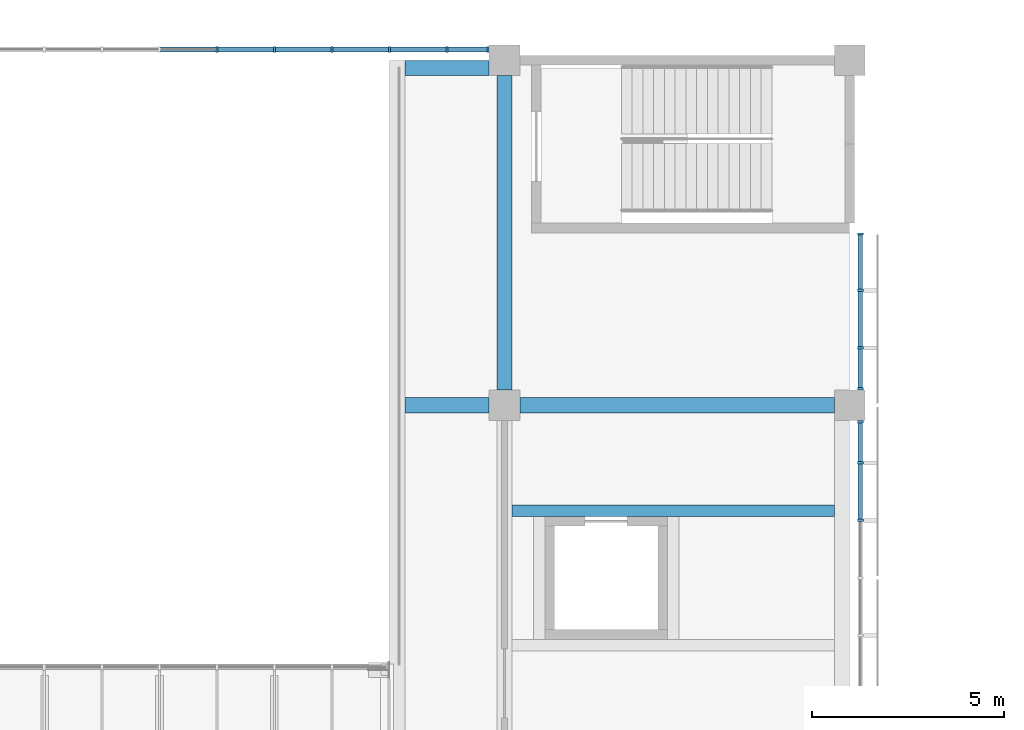
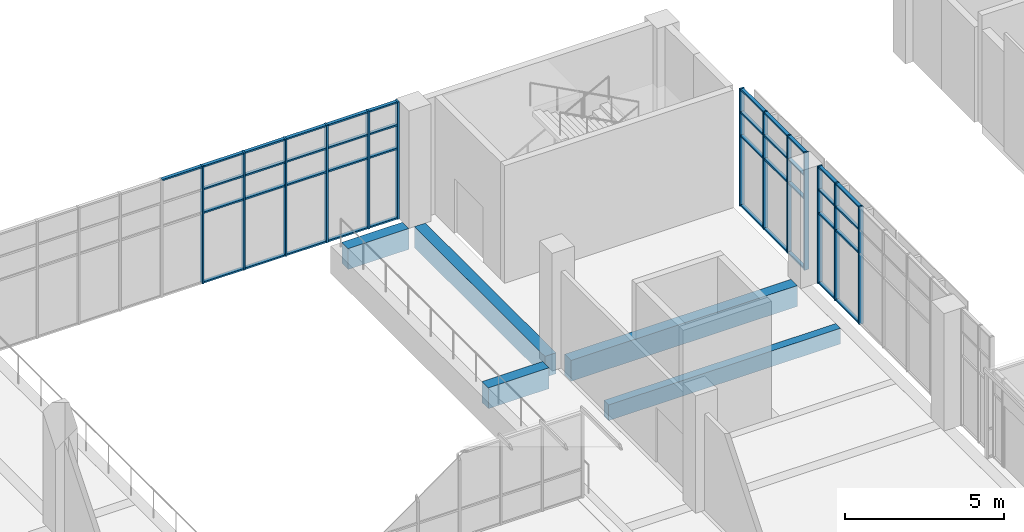
# One storey, part 28 of 88: 54 members, 5 beams, 3 elements without a shape of their own.
"""IFC4 building model written with IfcOpenShell, lengths in metres."""

from ifc_helpers import new_model, si_unit, direction, frame, origin, origin_2d, place, context, subcontext, project, spatial, rectangle, extrude, material, layer, layer_set, material_profile, profile_set, type_object, element, aggregate, save


model = new_model("IFC4")

# Units and contexts
model_context = context("Model", 3, precision=1e-05, world=origin(), true_north=direction((0.0, 1.0)))
body_context = subcontext(model_context, "Body", "Model", "MODEL_VIEW")
ifc_project = project(units=[si_unit("LENGTHUNIT", "METRE"), si_unit("AREAUNIT", "SQUARE_METRE"), si_unit("VOLUMEUNIT", "CUBIC_METRE"), si_unit("PLANEANGLEUNIT", "RADIAN"), si_unit("MASSUNIT", "GRAM", prefix="KILO")], contexts=[model_context])

# Site, building, storey
site_placement = place(None, origin())
site = spatial("IfcSite", under=ifc_project, at=site_placement, CompositionType="ELEMENT")
building_placement = place(site_placement, origin())
building = spatial("IfcBuilding", under=site, at=building_placement, Name="Guidao Yard Department Store", CompositionType="ELEMENT")
storey_placement = place(building_placement, frame((0.0, 0.0, 6.0)))
storey = spatial("IfcBuildingStorey", under=building, at=storey_placement, Name="L01", CompositionType="ELEMENT", Elevation=6.0)

# Beams
ifc_material_1 = material(Name="Concrete C40", Category="concrete")
ifc_material_profile_1 = material_profile(ifc_material_1, rectangle(XDim=0.39990234375, YDim=0.800048828125, at=origin_2d()), Name="Edge beam 400 x 800 C40")
ifc_profile_set_1 = profile_set([ifc_material_profile_1], Name="Concrete C40")
beam_type_1 = type_object("IfcBeamType", Name="Edge beam 400 x 800 C40", PredefinedType="BEAM", material=ifc_profile_set_1)
beam_1_placement = place(storey_placement, frame((99.0, 99.39990234375, -0.39990234375), z_axis=(0.0, 1.0, 0.0), x_axis=(-1.0, 0.0, 0.0)))
element("IfcBeam", 1, at=beam_1_placement, inside=storey, type_object=beam_type_1, Name="Beam EB54", PredefinedType="BEAM", context=body_context, shape_type="SweptSolid", body=[
    extrude(rectangle(XDim=0.39990234375, YDim=0.800048828125, at=origin_2d()), origin(), (0.0, 0.0, 1.0), 8.2001953125),
])
for number, where, z_axis, x_axis, name in (
    (2, (96.39990234375, 99.0, -0.39990234375), (1.0, 0.0, 0.0), (0.0, 1.0, 0.0), "Beam EB59"),
    (3, (96.39990234375, 107.800048828125, -0.39990234375), (1.0, 0.0, 0.0), (0.0, 1.0, 0.0), "Beam EB60"),
):
    element("IfcBeam", number, at=place(storey_placement, frame(where, z_axis=z_axis, x_axis=x_axis)), inside=storey, type_object=beam_type_1, Name=name, PredefinedType="BEAM", context=body_context, shape_type="SweptSolid", body=[
        extrude(rectangle(XDim=0.39990234375, YDim=0.800048828125, at=origin_2d()), origin(), (0.0, 0.0, 1.0), 2.2001953125),
    ])
beam_2_placement = place(storey_placement, frame((99.39990234375, 99.0, -0.39990234375), z_axis=(1.0, 0.0, 0.0), x_axis=(0.0, 1.0, 0.0)))
element("IfcBeam", 4, at=beam_2_placement, inside=storey, type_object=beam_type_1, Name="Beam EB101", PredefinedType="BEAM", context=body_context, shape_type="SweptSolid", body=[
    extrude(rectangle(XDim=0.39990234375, YDim=0.800048828125, at=origin_2d()), origin(), (0.0, 0.0, 1.0), 8.2001953125),
])

# Curtain wall, members
ifc_material_2 = material(Name="Aluminium and glass", Category="aluminium")
ifc_layer = layer(ifc_material_2, 0.159912109375)
ifc_layer_set = layer_set([ifc_layer], Name="Shopfront curtain wall CW1 1500 module")
curtain_wall_type = type_object("IfcCurtainWallType", Name="Shopfront curtain wall CW1 1500 module", PredefinedType="NOTDEFINED", material=ifc_layer_set)
curtain_wall_1_placement = place(storey_placement, origin())
curtain_wall_1 = element("IfcCurtainWall", 5, at=curtain_wall_1_placement, inside=storey, type_object=curtain_wall_type, Name="Arcade shop front", PredefinedType="NOTDEFINED")
ifc_material_3 = material(Name="Aluminium 6063-T5", Category="aluminium")
ifc_material_profile_2 = material_profile(ifc_material_3, rectangle(XDim=0.06005859375, YDim=0.159912109375, at=origin_2d()), Name="Mullion M1 60 x 160 aluminium pressure plate")
ifc_profile_set_2 = profile_set([ifc_material_profile_2], Name="Aluminium 6063-T5")
member_type_1 = type_object("IfcMemberType", Name="Mullion M1 60 x 160 aluminium pressure plate", PredefinedType="MULLION", material=ifc_profile_set_2)
member_1_placement = place(storey_placement, frame((108.280029296875, 96.0, 0.0), z_axis=(0.0, 0.0, 1.0), x_axis=(0.0, -1.0, 0.0)))
member_1 = element("IfcMember", 6, at=member_1_placement, type_object=member_type_1, Name="CW-AS-L01-21 mullion 5", PredefinedType="MULLION", context=body_context, shape_type="SweptSolid", body=[
    extrude(rectangle(XDim=0.06005859375, YDim=0.159912109375, at=origin_2d()), origin(), (0.0, 0.0, 1.0), 4.5),
])
member_2_placement = place(storey_placement, frame((108.280029296875, 97.5, 0.0), z_axis=(0.0, 0.0, 1.0), x_axis=(0.0, -1.0, 0.0)))
member_2 = element("IfcMember", 7, at=member_2_placement, type_object=member_type_1, Name="CW-AS-L01-21 mullion 6", PredefinedType="MULLION", context=body_context, shape_type="SweptSolid", body=[
    extrude(rectangle(XDim=0.06005859375, YDim=0.159912109375, at=origin_2d()), origin(), (0.0, 0.0, 1.0), 4.5),
])
member_3_placement = place(storey_placement, frame((108.280029296875, 98.570068359375, 0.0), z_axis=(0.0, 0.0, 1.0), x_axis=(0.0, -1.0, 0.0)))
member_3 = element("IfcMember", 8, at=member_3_placement, type_object=member_type_1, Name="CW-AS-L01-21 mullion 7", PredefinedType="MULLION", context=body_context, shape_type="SweptSolid", body=[
    extrude(rectangle(XDim=0.06005859375, YDim=0.159912109375, at=origin_2d()), origin(), (0.0, 0.0, 1.0), 4.5),
])

curtain_wall_2_placement = place(storey_placement, origin())
curtain_wall_2 = element("IfcCurtainWall", 9, at=curtain_wall_2_placement, inside=storey, type_object=curtain_wall_type, Name="Arcade shop front", PredefinedType="NOTDEFINED")
member_4_placement = place(storey_placement, frame((108.280029296875, 99.429931640625, 0.0), z_axis=(0.0, 0.0, 1.0), x_axis=(0.0, -1.0, 0.0)))
member_4 = element("IfcMember", 10, at=member_4_placement, type_object=member_type_1, Name="CW-AS-L01-22 mullion 1", PredefinedType="MULLION", context=body_context, shape_type="SweptSolid", body=[
    extrude(rectangle(XDim=0.06005859375, YDim=0.159912109375, at=origin_2d()), origin(), (0.0, 0.0, 1.0), 4.5),
])
member_5_placement = place(storey_placement, frame((108.280029296875, 100.5, 0.0), z_axis=(0.0, 0.0, 1.0), x_axis=(0.0, -1.0, 0.0)))
member_5 = element("IfcMember", 11, at=member_5_placement, type_object=member_type_1, Name="CW-AS-L01-22 mullion 2", PredefinedType="MULLION", context=body_context, shape_type="SweptSolid", body=[
    extrude(rectangle(XDim=0.06005859375, YDim=0.159912109375, at=origin_2d()), origin(), (0.0, 0.0, 1.0), 4.5),
])
member_6_placement = place(storey_placement, frame((108.280029296875, 102.0, 0.0), z_axis=(0.0, 0.0, 1.0), x_axis=(0.0, -1.0, 0.0)))
member_6 = element("IfcMember", 12, at=member_6_placement, type_object=member_type_1, Name="CW-AS-L01-22 mullion 3", PredefinedType="MULLION", context=body_context, shape_type="SweptSolid", body=[
    extrude(rectangle(XDim=0.06005859375, YDim=0.159912109375, at=origin_2d()), origin(), (0.0, 0.0, 1.0), 4.5),
])
member_7_placement = place(storey_placement, frame((108.280029296875, 103.469970703125, 0.0), z_axis=(0.0, 0.0, 1.0), x_axis=(0.0, -1.0, 0.0)))
member_7 = element("IfcMember", 13, at=member_7_placement, type_object=member_type_1, Name="CW-AS-L01-22 mullion 4", PredefinedType="MULLION", context=body_context, shape_type="SweptSolid", body=[
    extrude(rectangle(XDim=0.06005859375, YDim=0.159912109375, at=origin_2d()), origin(), (0.0, 0.0, 1.0), 4.5),
])

curtain_wall_3_placement = place(storey_placement, origin())
curtain_wall_3 = element("IfcCurtainWall", 14, at=curtain_wall_3_placement, inside=storey, type_object=curtain_wall_type, Name="Arcade gable glazing", PredefinedType="NOTDEFINED")
member_8_placement = place(storey_placement, frame((91.5, 108.280029296875, 0.0), z_axis=(0.0, 0.0, 1.0), x_axis=(1.0, 0.0, 0.0)))
member_8 = element("IfcMember", 15, at=member_8_placement, type_object=member_type_1, Name="CW-AG-L01-01 mullion 8", PredefinedType="MULLION", context=body_context, shape_type="SweptSolid", body=[
    extrude(rectangle(XDim=0.06005859375, YDim=0.159912109375, at=origin_2d()), origin(), (0.0, 0.0, 1.0), 4.5),
])
member_9_placement = place(storey_placement, frame((93.0, 108.280029296875, 0.0), z_axis=(0.0, 0.0, 1.0), x_axis=(1.0, 0.0, 0.0)))
member_9 = element("IfcMember", 16, at=member_9_placement, type_object=member_type_1, Name="CW-AG-L01-01 mullion 9", PredefinedType="MULLION", context=body_context, shape_type="SweptSolid", body=[
    extrude(rectangle(XDim=0.06005859375, YDim=0.159912109375, at=origin_2d()), origin(), (0.0, 0.0, 1.0), 4.5),
])
member_10_placement = place(storey_placement, frame((94.5, 108.280029296875, 0.0), z_axis=(0.0, 0.0, 1.0), x_axis=(1.0, 0.0, 0.0)))
member_10 = element("IfcMember", 17, at=member_10_placement, type_object=member_type_1, Name="CW-AG-L01-01 mullion 10", PredefinedType="MULLION", context=body_context, shape_type="SweptSolid", body=[
    extrude(rectangle(XDim=0.06005859375, YDim=0.159912109375, at=origin_2d()), origin(), (0.0, 0.0, 1.0), 4.5),
])
member_11_placement = place(storey_placement, frame((96.0, 108.280029296875, 0.0), z_axis=(0.0, 0.0, 1.0), x_axis=(1.0, 0.0, 0.0)))
member_11 = element("IfcMember", 18, at=member_11_placement, type_object=member_type_1, Name="CW-AG-L01-01 mullion 11", PredefinedType="MULLION", context=body_context, shape_type="SweptSolid", body=[
    extrude(rectangle(XDim=0.06005859375, YDim=0.159912109375, at=origin_2d()), origin(), (0.0, 0.0, 1.0), 4.5),
])
member_12_placement = place(storey_placement, frame((97.5, 108.280029296875, 0.0), z_axis=(0.0, 0.0, 1.0), x_axis=(1.0, 0.0, 0.0)))
member_12 = element("IfcMember", 19, at=member_12_placement, type_object=member_type_1, Name="CW-AG-L01-01 mullion 12", PredefinedType="MULLION", context=body_context, shape_type="SweptSolid", body=[
    extrude(rectangle(XDim=0.06005859375, YDim=0.159912109375, at=origin_2d()), origin(), (0.0, 0.0, 1.0), 4.5),
])
member_13_placement = place(storey_placement, frame((98.570068359375, 108.280029296875, 0.0), z_axis=(0.0, 0.0, 1.0), x_axis=(1.0, 0.0, 0.0)))
member_13 = element("IfcMember", 20, at=member_13_placement, type_object=member_type_1, Name="CW-AG-L01-01 mullion 13", PredefinedType="MULLION", context=body_context, shape_type="SweptSolid", body=[
    extrude(rectangle(XDim=0.06005859375, YDim=0.159912109375, at=origin_2d()), origin(), (0.0, 0.0, 1.0), 4.5),
])

# Beam
ifc_material_4 = material(Name="Concrete C40", Category="concrete")
ifc_material_profile_3 = material_profile(ifc_material_4, rectangle(XDim=0.300048828125, YDim=0.60009765625, at=origin_2d()), Name="Opening beam 300 x 600 C40")
ifc_profile_set_3 = profile_set([ifc_material_profile_3], Name="Concrete C40")
beam_type_2 = type_object("IfcBeamType", Name="Opening beam 300 x 600 C40", PredefinedType="BEAM", material=ifc_profile_set_3)
beam_3_placement = place(storey_placement, frame((99.199951171875, 96.25, -0.300048828125), z_axis=(1.0, 0.0, 0.0), x_axis=(0.0, 1.0, 0.0)))
element("IfcBeam", 21, at=beam_3_placement, inside=storey, type_object=beam_type_2, Name="Beam OB26", PredefinedType="BEAM", context=body_context, shape_type="SweptSolid", body=[
    extrude(rectangle(XDim=0.300048828125, YDim=0.60009765625, at=origin_2d()), origin(), (0.0, 0.0, 1.0), 8.400146484375),
])

# Member
ifc_material_5 = material(Name="Aluminium 6063-T5", Category="aluminium")
ifc_material_profile_4 = material_profile(ifc_material_5, rectangle(XDim=0.1201171875, YDim=0.06005859375, at=origin_2d()), Name="Transom T1 60 x 120 aluminium pressure plate")
ifc_profile_set_4 = profile_set([ifc_material_profile_4], Name="Aluminium 6063-T5")
member_type_2 = type_object("IfcMemberType", Name="Transom T1 60 x 120 aluminium pressure plate", PredefinedType="USERDEFINED", material=ifc_profile_set_4)
member_14_placement = place(storey_placement, frame((108.280029296875, 97.469970703125, 0.030029296875), z_axis=(0.0, -1.0, 0.0), x_axis=(1.0, 0.0, 0.0)))
member_14 = element("IfcMember", 22, at=member_14_placement, type_object=member_type_2, Name="CW-AS-L01-21 transom 5.1", ObjectType="TRANSOM", PredefinedType="USERDEFINED", context=body_context, shape_type="SweptSolid", body=[
    extrude(rectangle(XDim=0.1201171875, YDim=0.06005859375, at=origin_2d()), origin(), (0.0, 0.0, 1.0), 1.43994140625),
])

member_15_placement = place(storey_placement, frame((108.280029296875, 97.469970703125, 2.699951171875), z_axis=(0.0, -1.0, 0.0), x_axis=(1.0, 0.0, 0.0)))
member_15 = element("IfcMember", 23, at=member_15_placement, type_object=member_type_2, Name="CW-AS-L01-21 transom 5.2", ObjectType="TRANSOM", PredefinedType="USERDEFINED", context=body_context, shape_type="SweptSolid", body=[
    extrude(rectangle(XDim=0.1201171875, YDim=0.06005859375, at=origin_2d()), origin(), (0.0, 0.0, 1.0), 1.43994140625),
])

member_16_placement = place(storey_placement, frame((108.280029296875, 97.469970703125, 3.60009765625), z_axis=(0.0, -1.0, 0.0), x_axis=(1.0, 0.0, 0.0)))
member_16 = element("IfcMember", 24, at=member_16_placement, type_object=member_type_2, Name="CW-AS-L01-21 transom 5.3", ObjectType="TRANSOM", PredefinedType="USERDEFINED", context=body_context, shape_type="SweptSolid", body=[
    extrude(rectangle(XDim=0.1201171875, YDim=0.06005859375, at=origin_2d()), origin(), (0.0, 0.0, 1.0), 1.43994140625),
])

member_17_placement = place(storey_placement, frame((108.280029296875, 97.469970703125, 4.469970703125), z_axis=(0.0, -1.0, 0.0), x_axis=(1.0, 0.0, 0.0)))
member_17 = element("IfcMember", 25, at=member_17_placement, type_object=member_type_2, Name="CW-AS-L01-21 transom 5.4", ObjectType="TRANSOM", PredefinedType="USERDEFINED", context=body_context, shape_type="SweptSolid", body=[
    extrude(rectangle(XDim=0.1201171875, YDim=0.06005859375, at=origin_2d()), origin(), (0.0, 0.0, 1.0), 1.43994140625),
])

member_18_placement = place(storey_placement, frame((108.280029296875, 98.5400390625, 0.030029296875), z_axis=(0.0, -1.0, 0.0), x_axis=(1.0, 0.0, 0.0)))
member_18 = element("IfcMember", 26, at=member_18_placement, type_object=member_type_2, Name="CW-AS-L01-21 transom 6.1", ObjectType="TRANSOM", PredefinedType="USERDEFINED", context=body_context, shape_type="SweptSolid", body=[
    extrude(rectangle(XDim=0.1201171875, YDim=0.06005859375, at=origin_2d()), origin(), (0.0, 0.0, 1.0), 1.010009765625),
])

member_19_placement = place(storey_placement, frame((108.280029296875, 98.5400390625, 2.699951171875), z_axis=(0.0, -1.0, 0.0), x_axis=(1.0, 0.0, 0.0)))
member_19 = element("IfcMember", 27, at=member_19_placement, type_object=member_type_2, Name="CW-AS-L01-21 transom 6.2", ObjectType="TRANSOM", PredefinedType="USERDEFINED", context=body_context, shape_type="SweptSolid", body=[
    extrude(rectangle(XDim=0.1201171875, YDim=0.06005859375, at=origin_2d()), origin(), (0.0, 0.0, 1.0), 1.010009765625),
])

member_20_placement = place(storey_placement, frame((108.280029296875, 98.5400390625, 3.60009765625), z_axis=(0.0, -1.0, 0.0), x_axis=(1.0, 0.0, 0.0)))
member_20 = element("IfcMember", 28, at=member_20_placement, type_object=member_type_2, Name="CW-AS-L01-21 transom 6.3", ObjectType="TRANSOM", PredefinedType="USERDEFINED", context=body_context, shape_type="SweptSolid", body=[
    extrude(rectangle(XDim=0.1201171875, YDim=0.06005859375, at=origin_2d()), origin(), (0.0, 0.0, 1.0), 1.010009765625),
])

member_21_placement = place(storey_placement, frame((108.280029296875, 98.5400390625, 4.469970703125), z_axis=(0.0, -1.0, 0.0), x_axis=(1.0, 0.0, 0.0)))
member_21 = element("IfcMember", 29, at=member_21_placement, type_object=member_type_2, Name="CW-AS-L01-21 transom 6.4", ObjectType="TRANSOM", PredefinedType="USERDEFINED", context=body_context, shape_type="SweptSolid", body=[
    extrude(rectangle(XDim=0.1201171875, YDim=0.06005859375, at=origin_2d()), origin(), (0.0, 0.0, 1.0), 1.010009765625),
])

aggregate(curtain_wall_1, [member_1, member_2, member_3, member_14, member_15, member_16, member_17, member_18, member_19, member_20, member_21])

member_22_placement = place(storey_placement, frame((108.280029296875, 100.469970703125, 0.030029296875), z_axis=(0.0, -1.0, 0.0), x_axis=(1.0, 0.0, 0.0)))
member_22 = element("IfcMember", 30, at=member_22_placement, type_object=member_type_2, Name="CW-AS-L01-22 transom 1.1", ObjectType="TRANSOM", PredefinedType="USERDEFINED", context=body_context, shape_type="SweptSolid", body=[
    extrude(rectangle(XDim=0.1201171875, YDim=0.06005859375, at=origin_2d()), origin(), (0.0, 0.0, 1.0), 1.010009765625),
])

member_23_placement = place(storey_placement, frame((108.280029296875, 100.469970703125, 2.699951171875), z_axis=(0.0, -1.0, 0.0), x_axis=(1.0, 0.0, 0.0)))
member_23 = element("IfcMember", 31, at=member_23_placement, type_object=member_type_2, Name="CW-AS-L01-22 transom 1.2", ObjectType="TRANSOM", PredefinedType="USERDEFINED", context=body_context, shape_type="SweptSolid", body=[
    extrude(rectangle(XDim=0.1201171875, YDim=0.06005859375, at=origin_2d()), origin(), (0.0, 0.0, 1.0), 1.010009765625),
])

member_24_placement = place(storey_placement, frame((108.280029296875, 100.469970703125, 3.60009765625), z_axis=(0.0, -1.0, 0.0), x_axis=(1.0, 0.0, 0.0)))
member_24 = element("IfcMember", 32, at=member_24_placement, type_object=member_type_2, Name="CW-AS-L01-22 transom 1.3", ObjectType="TRANSOM", PredefinedType="USERDEFINED", context=body_context, shape_type="SweptSolid", body=[
    extrude(rectangle(XDim=0.1201171875, YDim=0.06005859375, at=origin_2d()), origin(), (0.0, 0.0, 1.0), 1.010009765625),
])

member_25_placement = place(storey_placement, frame((108.280029296875, 100.469970703125, 4.469970703125), z_axis=(0.0, -1.0, 0.0), x_axis=(1.0, 0.0, 0.0)))
member_25 = element("IfcMember", 33, at=member_25_placement, type_object=member_type_2, Name="CW-AS-L01-22 transom 1.4", ObjectType="TRANSOM", PredefinedType="USERDEFINED", context=body_context, shape_type="SweptSolid", body=[
    extrude(rectangle(XDim=0.1201171875, YDim=0.06005859375, at=origin_2d()), origin(), (0.0, 0.0, 1.0), 1.010009765625),
])

member_26_placement = place(storey_placement, frame((108.280029296875, 101.969970703125, 0.030029296875), z_axis=(0.0, -1.0, 0.0), x_axis=(1.0, 0.0, 0.0)))
member_26 = element("IfcMember", 34, at=member_26_placement, type_object=member_type_2, Name="CW-AS-L01-22 transom 2.1", ObjectType="TRANSOM", PredefinedType="USERDEFINED", context=body_context, shape_type="SweptSolid", body=[
    extrude(rectangle(XDim=0.1201171875, YDim=0.06005859375, at=origin_2d()), origin(), (0.0, 0.0, 1.0), 1.43994140625),
])

member_27_placement = place(storey_placement, frame((108.280029296875, 101.969970703125, 2.699951171875), z_axis=(0.0, -1.0, 0.0), x_axis=(1.0, 0.0, 0.0)))
member_27 = element("IfcMember", 35, at=member_27_placement, type_object=member_type_2, Name="CW-AS-L01-22 transom 2.2", ObjectType="TRANSOM", PredefinedType="USERDEFINED", context=body_context, shape_type="SweptSolid", body=[
    extrude(rectangle(XDim=0.1201171875, YDim=0.06005859375, at=origin_2d()), origin(), (0.0, 0.0, 1.0), 1.43994140625),
])

member_28_placement = place(storey_placement, frame((108.280029296875, 101.969970703125, 3.60009765625), z_axis=(0.0, -1.0, 0.0), x_axis=(1.0, 0.0, 0.0)))
member_28 = element("IfcMember", 36, at=member_28_placement, type_object=member_type_2, Name="CW-AS-L01-22 transom 2.3", ObjectType="TRANSOM", PredefinedType="USERDEFINED", context=body_context, shape_type="SweptSolid", body=[
    extrude(rectangle(XDim=0.1201171875, YDim=0.06005859375, at=origin_2d()), origin(), (0.0, 0.0, 1.0), 1.43994140625),
])

member_29_placement = place(storey_placement, frame((108.280029296875, 101.969970703125, 4.469970703125), z_axis=(0.0, -1.0, 0.0), x_axis=(1.0, 0.0, 0.0)))
member_29 = element("IfcMember", 37, at=member_29_placement, type_object=member_type_2, Name="CW-AS-L01-22 transom 2.4", ObjectType="TRANSOM", PredefinedType="USERDEFINED", context=body_context, shape_type="SweptSolid", body=[
    extrude(rectangle(XDim=0.1201171875, YDim=0.06005859375, at=origin_2d()), origin(), (0.0, 0.0, 1.0), 1.43994140625),
])

member_30_placement = place(storey_placement, frame((108.280029296875, 103.43994140625, 0.030029296875), z_axis=(0.0, -1.0, 0.0), x_axis=(1.0, 0.0, 0.0)))
member_30 = element("IfcMember", 38, at=member_30_placement, type_object=member_type_2, Name="CW-AS-L01-22 transom 3.1", ObjectType="TRANSOM", PredefinedType="USERDEFINED", context=body_context, shape_type="SweptSolid", body=[
    extrude(rectangle(XDim=0.1201171875, YDim=0.06005859375, at=origin_2d()), origin(), (0.0, 0.0, 1.0), 1.409912109375),
])

member_31_placement = place(storey_placement, frame((108.280029296875, 103.43994140625, 2.699951171875), z_axis=(0.0, -1.0, 0.0), x_axis=(1.0, 0.0, 0.0)))
member_31 = element("IfcMember", 39, at=member_31_placement, type_object=member_type_2, Name="CW-AS-L01-22 transom 3.2", ObjectType="TRANSOM", PredefinedType="USERDEFINED", context=body_context, shape_type="SweptSolid", body=[
    extrude(rectangle(XDim=0.1201171875, YDim=0.06005859375, at=origin_2d()), origin(), (0.0, 0.0, 1.0), 1.409912109375),
])

member_32_placement = place(storey_placement, frame((108.280029296875, 103.43994140625, 3.60009765625), z_axis=(0.0, -1.0, 0.0), x_axis=(1.0, 0.0, 0.0)))
member_32 = element("IfcMember", 40, at=member_32_placement, type_object=member_type_2, Name="CW-AS-L01-22 transom 3.3", ObjectType="TRANSOM", PredefinedType="USERDEFINED", context=body_context, shape_type="SweptSolid", body=[
    extrude(rectangle(XDim=0.1201171875, YDim=0.06005859375, at=origin_2d()), origin(), (0.0, 0.0, 1.0), 1.409912109375),
])

member_33_placement = place(storey_placement, frame((108.280029296875, 103.43994140625, 4.469970703125), z_axis=(0.0, -1.0, 0.0), x_axis=(1.0, 0.0, 0.0)))
member_33 = element("IfcMember", 41, at=member_33_placement, type_object=member_type_2, Name="CW-AS-L01-22 transom 3.4", ObjectType="TRANSOM", PredefinedType="USERDEFINED", context=body_context, shape_type="SweptSolid", body=[
    extrude(rectangle(XDim=0.1201171875, YDim=0.06005859375, at=origin_2d()), origin(), (0.0, 0.0, 1.0), 1.409912109375),
])

aggregate(curtain_wall_2, [member_4, member_5, member_6, member_7, member_22, member_23, member_24, member_25, member_26, member_27, member_28, member_29, member_30, member_31, member_32, member_33])

member_34_placement = place(storey_placement, frame((90.030029296875, 108.280029296875, 4.469970703125), z_axis=(1.0, 0.0, 0.0), x_axis=(0.0, 1.0, 0.0)))
member_34 = element("IfcMember", 42, at=member_34_placement, type_object=member_type_2, Name="CW-AG-L01-01 transom 7.4", ObjectType="TRANSOM", PredefinedType="USERDEFINED", context=body_context, shape_type="SweptSolid", body=[
    extrude(rectangle(XDim=0.1201171875, YDim=0.06005859375, at=origin_2d()), origin(), (0.0, 0.0, 1.0), 1.43994140625),
])

member_35_placement = place(storey_placement, frame((91.530029296875, 108.280029296875, 0.030029296875), z_axis=(1.0, 0.0, 0.0), x_axis=(0.0, 1.0, 0.0)))
member_35 = element("IfcMember", 43, at=member_35_placement, type_object=member_type_2, Name="CW-AG-L01-01 transom 8.1", ObjectType="TRANSOM", PredefinedType="USERDEFINED", context=body_context, shape_type="SweptSolid", body=[
    extrude(rectangle(XDim=0.1201171875, YDim=0.06005859375, at=origin_2d()), origin(), (0.0, 0.0, 1.0), 1.43994140625),
])

member_36_placement = place(storey_placement, frame((91.530029296875, 108.280029296875, 2.699951171875), z_axis=(1.0, 0.0, 0.0), x_axis=(0.0, 1.0, 0.0)))
member_36 = element("IfcMember", 44, at=member_36_placement, type_object=member_type_2, Name="CW-AG-L01-01 transom 8.2", ObjectType="TRANSOM", PredefinedType="USERDEFINED", context=body_context, shape_type="SweptSolid", body=[
    extrude(rectangle(XDim=0.1201171875, YDim=0.06005859375, at=origin_2d()), origin(), (0.0, 0.0, 1.0), 1.43994140625),
])

member_37_placement = place(storey_placement, frame((91.530029296875, 108.280029296875, 3.60009765625), z_axis=(1.0, 0.0, 0.0), x_axis=(0.0, 1.0, 0.0)))
member_37 = element("IfcMember", 45, at=member_37_placement, type_object=member_type_2, Name="CW-AG-L01-01 transom 8.3", ObjectType="TRANSOM", PredefinedType="USERDEFINED", context=body_context, shape_type="SweptSolid", body=[
    extrude(rectangle(XDim=0.1201171875, YDim=0.06005859375, at=origin_2d()), origin(), (0.0, 0.0, 1.0), 1.43994140625),
])

member_38_placement = place(storey_placement, frame((91.530029296875, 108.280029296875, 4.469970703125), z_axis=(1.0, 0.0, 0.0), x_axis=(0.0, 1.0, 0.0)))
member_38 = element("IfcMember", 46, at=member_38_placement, type_object=member_type_2, Name="CW-AG-L01-01 transom 8.4", ObjectType="TRANSOM", PredefinedType="USERDEFINED", context=body_context, shape_type="SweptSolid", body=[
    extrude(rectangle(XDim=0.1201171875, YDim=0.06005859375, at=origin_2d()), origin(), (0.0, 0.0, 1.0), 1.43994140625),
])

member_39_placement = place(storey_placement, frame((93.030029296875, 108.280029296875, 0.030029296875), z_axis=(1.0, 0.0, 0.0), x_axis=(0.0, 1.0, 0.0)))
member_39 = element("IfcMember", 47, at=member_39_placement, type_object=member_type_2, Name="CW-AG-L01-01 transom 9.1", ObjectType="TRANSOM", PredefinedType="USERDEFINED", context=body_context, shape_type="SweptSolid", body=[
    extrude(rectangle(XDim=0.1201171875, YDim=0.06005859375, at=origin_2d()), origin(), (0.0, 0.0, 1.0), 1.43994140625),
])

member_40_placement = place(storey_placement, frame((93.030029296875, 108.280029296875, 2.699951171875), z_axis=(1.0, 0.0, 0.0), x_axis=(0.0, 1.0, 0.0)))
member_40 = element("IfcMember", 48, at=member_40_placement, type_object=member_type_2, Name="CW-AG-L01-01 transom 9.2", ObjectType="TRANSOM", PredefinedType="USERDEFINED", context=body_context, shape_type="SweptSolid", body=[
    extrude(rectangle(XDim=0.1201171875, YDim=0.06005859375, at=origin_2d()), origin(), (0.0, 0.0, 1.0), 1.43994140625),
])

member_41_placement = place(storey_placement, frame((93.030029296875, 108.280029296875, 3.60009765625), z_axis=(1.0, 0.0, 0.0), x_axis=(0.0, 1.0, 0.0)))
member_41 = element("IfcMember", 49, at=member_41_placement, type_object=member_type_2, Name="CW-AG-L01-01 transom 9.3", ObjectType="TRANSOM", PredefinedType="USERDEFINED", context=body_context, shape_type="SweptSolid", body=[
    extrude(rectangle(XDim=0.1201171875, YDim=0.06005859375, at=origin_2d()), origin(), (0.0, 0.0, 1.0), 1.43994140625),
])

member_42_placement = place(storey_placement, frame((93.030029296875, 108.280029296875, 4.469970703125), z_axis=(1.0, 0.0, 0.0), x_axis=(0.0, 1.0, 0.0)))
member_42 = element("IfcMember", 50, at=member_42_placement, type_object=member_type_2, Name="CW-AG-L01-01 transom 9.4", ObjectType="TRANSOM", PredefinedType="USERDEFINED", context=body_context, shape_type="SweptSolid", body=[
    extrude(rectangle(XDim=0.1201171875, YDim=0.06005859375, at=origin_2d()), origin(), (0.0, 0.0, 1.0), 1.43994140625),
])

member_43_placement = place(storey_placement, frame((94.530029296875, 108.280029296875, 0.030029296875), z_axis=(1.0, 0.0, 0.0), x_axis=(0.0, 1.0, 0.0)))
member_43 = element("IfcMember", 51, at=member_43_placement, type_object=member_type_2, Name="CW-AG-L01-01 transom 10.1", ObjectType="TRANSOM", PredefinedType="USERDEFINED", context=body_context, shape_type="SweptSolid", body=[
    extrude(rectangle(XDim=0.1201171875, YDim=0.06005859375, at=origin_2d()), origin(), (0.0, 0.0, 1.0), 1.43994140625),
])

member_44_placement = place(storey_placement, frame((94.530029296875, 108.280029296875, 2.699951171875), z_axis=(1.0, 0.0, 0.0), x_axis=(0.0, 1.0, 0.0)))
member_44 = element("IfcMember", 52, at=member_44_placement, type_object=member_type_2, Name="CW-AG-L01-01 transom 10.2", ObjectType="TRANSOM", PredefinedType="USERDEFINED", context=body_context, shape_type="SweptSolid", body=[
    extrude(rectangle(XDim=0.1201171875, YDim=0.06005859375, at=origin_2d()), origin(), (0.0, 0.0, 1.0), 1.43994140625),
])

member_45_placement = place(storey_placement, frame((94.530029296875, 108.280029296875, 3.60009765625), z_axis=(1.0, 0.0, 0.0), x_axis=(0.0, 1.0, 0.0)))
member_45 = element("IfcMember", 53, at=member_45_placement, type_object=member_type_2, Name="CW-AG-L01-01 transom 10.3", ObjectType="TRANSOM", PredefinedType="USERDEFINED", context=body_context, shape_type="SweptSolid", body=[
    extrude(rectangle(XDim=0.1201171875, YDim=0.06005859375, at=origin_2d()), origin(), (0.0, 0.0, 1.0), 1.43994140625),
])

member_46_placement = place(storey_placement, frame((94.530029296875, 108.280029296875, 4.469970703125), z_axis=(1.0, 0.0, 0.0), x_axis=(0.0, 1.0, 0.0)))
member_46 = element("IfcMember", 54, at=member_46_placement, type_object=member_type_2, Name="CW-AG-L01-01 transom 10.4", ObjectType="TRANSOM", PredefinedType="USERDEFINED", context=body_context, shape_type="SweptSolid", body=[
    extrude(rectangle(XDim=0.1201171875, YDim=0.06005859375, at=origin_2d()), origin(), (0.0, 0.0, 1.0), 1.43994140625),
])

member_47_placement = place(storey_placement, frame((96.030029296875, 108.280029296875, 0.030029296875), z_axis=(1.0, 0.0, 0.0), x_axis=(0.0, 1.0, 0.0)))
member_47 = element("IfcMember", 55, at=member_47_placement, type_object=member_type_2, Name="CW-AG-L01-01 transom 11.1", ObjectType="TRANSOM", PredefinedType="USERDEFINED", context=body_context, shape_type="SweptSolid", body=[
    extrude(rectangle(XDim=0.1201171875, YDim=0.06005859375, at=origin_2d()), origin(), (0.0, 0.0, 1.0), 1.43994140625),
])

member_48_placement = place(storey_placement, frame((96.030029296875, 108.280029296875, 2.699951171875), z_axis=(1.0, 0.0, 0.0), x_axis=(0.0, 1.0, 0.0)))
member_48 = element("IfcMember", 56, at=member_48_placement, type_object=member_type_2, Name="CW-AG-L01-01 transom 11.2", ObjectType="TRANSOM", PredefinedType="USERDEFINED", context=body_context, shape_type="SweptSolid", body=[
    extrude(rectangle(XDim=0.1201171875, YDim=0.06005859375, at=origin_2d()), origin(), (0.0, 0.0, 1.0), 1.43994140625),
])

member_49_placement = place(storey_placement, frame((96.030029296875, 108.280029296875, 3.60009765625), z_axis=(1.0, 0.0, 0.0), x_axis=(0.0, 1.0, 0.0)))
member_49 = element("IfcMember", 57, at=member_49_placement, type_object=member_type_2, Name="CW-AG-L01-01 transom 11.3", ObjectType="TRANSOM", PredefinedType="USERDEFINED", context=body_context, shape_type="SweptSolid", body=[
    extrude(rectangle(XDim=0.1201171875, YDim=0.06005859375, at=origin_2d()), origin(), (0.0, 0.0, 1.0), 1.43994140625),
])

member_50_placement = place(storey_placement, frame((96.030029296875, 108.280029296875, 4.469970703125), z_axis=(1.0, 0.0, 0.0), x_axis=(0.0, 1.0, 0.0)))
member_50 = element("IfcMember", 58, at=member_50_placement, type_object=member_type_2, Name="CW-AG-L01-01 transom 11.4", ObjectType="TRANSOM", PredefinedType="USERDEFINED", context=body_context, shape_type="SweptSolid", body=[
    extrude(rectangle(XDim=0.1201171875, YDim=0.06005859375, at=origin_2d()), origin(), (0.0, 0.0, 1.0), 1.43994140625),
])

member_51_placement = place(storey_placement, frame((97.530029296875, 108.280029296875, 0.030029296875), z_axis=(1.0, 0.0, 0.0), x_axis=(0.0, 1.0, 0.0)))
member_51 = element("IfcMember", 59, at=member_51_placement, type_object=member_type_2, Name="CW-AG-L01-01 transom 12.1", ObjectType="TRANSOM", PredefinedType="USERDEFINED", context=body_context, shape_type="SweptSolid", body=[
    extrude(rectangle(XDim=0.1201171875, YDim=0.06005859375, at=origin_2d()), origin(), (0.0, 0.0, 1.0), 1.010009765625),
])

member_52_placement = place(storey_placement, frame((97.530029296875, 108.280029296875, 2.699951171875), z_axis=(1.0, 0.0, 0.0), x_axis=(0.0, 1.0, 0.0)))
member_52 = element("IfcMember", 60, at=member_52_placement, type_object=member_type_2, Name="CW-AG-L01-01 transom 12.2", ObjectType="TRANSOM", PredefinedType="USERDEFINED", context=body_context, shape_type="SweptSolid", body=[
    extrude(rectangle(XDim=0.1201171875, YDim=0.06005859375, at=origin_2d()), origin(), (0.0, 0.0, 1.0), 1.010009765625),
])

member_53_placement = place(storey_placement, frame((97.530029296875, 108.280029296875, 3.60009765625), z_axis=(1.0, 0.0, 0.0), x_axis=(0.0, 1.0, 0.0)))
member_53 = element("IfcMember", 61, at=member_53_placement, type_object=member_type_2, Name="CW-AG-L01-01 transom 12.3", ObjectType="TRANSOM", PredefinedType="USERDEFINED", context=body_context, shape_type="SweptSolid", body=[
    extrude(rectangle(XDim=0.1201171875, YDim=0.06005859375, at=origin_2d()), origin(), (0.0, 0.0, 1.0), 1.010009765625),
])

member_54_placement = place(storey_placement, frame((97.530029296875, 108.280029296875, 4.469970703125), z_axis=(1.0, 0.0, 0.0), x_axis=(0.0, 1.0, 0.0)))
member_54 = element("IfcMember", 62, at=member_54_placement, type_object=member_type_2, Name="CW-AG-L01-01 transom 12.4", ObjectType="TRANSOM", PredefinedType="USERDEFINED", context=body_context, shape_type="SweptSolid", body=[
    extrude(rectangle(XDim=0.1201171875, YDim=0.06005859375, at=origin_2d()), origin(), (0.0, 0.0, 1.0), 1.010009765625),
])

aggregate(curtain_wall_3, [member_8, member_9, member_10, member_11, member_12, member_13, member_34, member_35, member_36, member_37, member_38, member_39, member_40, member_41, member_42, member_43, member_44, member_45, member_46, member_47, member_48, member_49, member_50, member_51, member_52, member_53, member_54])

save(model, "model.ifc")
